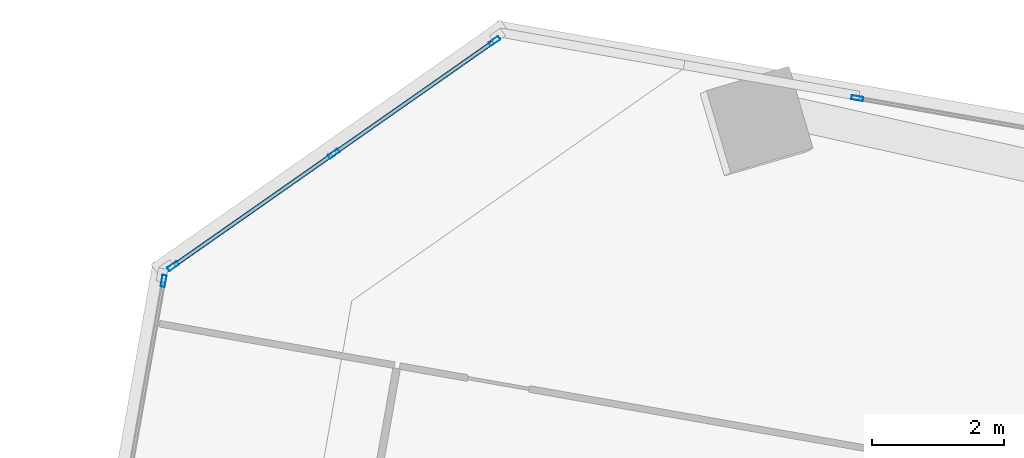
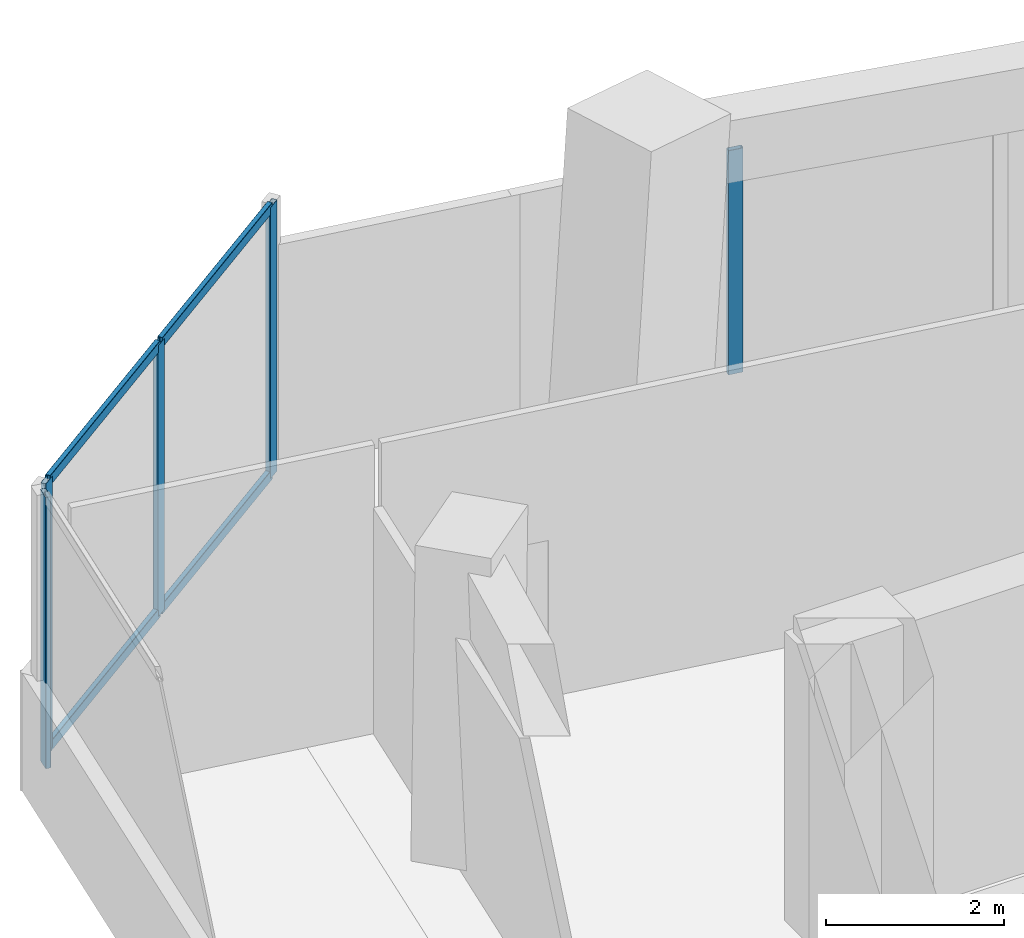
# One storey, part 15 of 24: 9 members, 3 elements without a shape of their own.
"""IFC4 building model written with IfcOpenShell, lengths in metres."""

from ifc_helpers import new_model, si_unit, direction, frame, origin, origin_2d, place, context, subcontext, project, spatial, hollow_rectangle, extrude, source, transform, mapped, material, material_profile, profile_set, type_object, element, aggregate, save


model = new_model("IFC4")

# Units and contexts
model_context = context("Model", 3, precision=1e-05, world=origin(), true_north=direction((0.0, 1.0)))
body_context = subcontext(model_context, "Body", "Model", "MODEL_VIEW")
ifc_project = project(units=[si_unit("LENGTHUNIT", "METRE"), si_unit("AREAUNIT", "SQUARE_METRE"), si_unit("VOLUMEUNIT", "CUBIC_METRE"), si_unit("PLANEANGLEUNIT", "RADIAN"), si_unit("MASSUNIT", "GRAM", prefix="KILO")], contexts=[model_context])

# Site, building, storey
site_placement = place(None, origin())
site = spatial("IfcSite", under=ifc_project, at=site_placement, CompositionType="ELEMENT")
building_placement = place(site_placement, origin())
building = spatial("IfcBuilding", under=site, at=building_placement, Name="Torre Montelarca", CompositionType="ELEMENT")
storey_placement = place(building_placement, frame((0.0, 0.0, 83.199951171875)))
storey = spatial("IfcBuildingStorey", under=building, at=storey_placement, Name="L18", CompositionType="ELEMENT", Elevation=83.199951171875)

# Curtain wall, members
ifc_material_1 = material(Name="Insulated low-E laminated glass", Category="glass")
curtain_wall_type = type_object("IfcCurtainWallType", Name="CW-SYS-Z1", PredefinedType="USERDEFINED", material=ifc_material_1)
curtain_wall_1_placement = place(storey_placement, origin())
curtain_wall_1 = element("IfcCurtainWall", 1, at=curtain_wall_1_placement, inside=storey, type_object=curtain_wall_type, Name="L18 Curtain Wall Run CW-T3-L18-E09-B1", ObjectType="UNITISED GLAZING", PredefinedType="USERDEFINED")
ifc_material_2 = material(Name="Anodised aluminium AA 6063-T6", Category="aluminium")
ifc_material_profile_1 = material_profile(ifc_material_2, hollow_rectangle(XDim=0.06494140625, YDim=0.139892578125, WallThickness=0.00390625, InnerFilletRadius=0.00390625, OuterFilletRadius=0.008056640625, at=origin_2d()), Name="ALU65X140X4", Category="aluminium")
ifc_profile_set_1 = profile_set([ifc_material_profile_1], Name="Anodised aluminium AA 6063-T6")
member_type_1 = type_object("IfcMemberType", Name="CWT-ALU140", PredefinedType="USERDEFINED", material=ifc_profile_set_1)
shared_shape_1 = source(origin(), body_context, "Body", "SweptSolid", [
    extrude(hollow_rectangle(XDim=0.06494140625, YDim=0.139892578125, WallThickness=0.00390625, InnerFilletRadius=0.00390625, OuterFilletRadius=0.008056640625, at=origin_2d()), origin(), (0.0, 0.0, 1.0), 2.918701171875),
])
member_1_placement = place(storey_placement, frame((8.244873046875, 50.528076171875, 0.032470703125), z_axis=(-0.819157248605, -0.573569003746, 0.0), x_axis=(0.573569003746, -0.819157248605, 0.0)))
member_1 = element("IfcMember", 2, at=member_1_placement, type_object=member_type_1, Name="CW transom 1.1", ObjectType="TRANSOM", PredefinedType="USERDEFINED", context=body_context, shape_type="MappedRepresentation", body=[
    mapped(shared_shape_1, transform((0.0, 0.0, 0.0), scale=1.0)),
])
member_2_placement = place(storey_placement, frame((8.244873046875, 50.528076171875, 3.6875), z_axis=(-0.819157248605, -0.573569003746, 0.0), x_axis=(0.573569003746, -0.819157248605, 0.0)))
member_2 = element("IfcMember", 3, at=member_2_placement, type_object=member_type_1, Name="CW transom 1.2", ObjectType="TRANSOM", PredefinedType="USERDEFINED", context=body_context, shape_type="MappedRepresentation", body=[
    mapped(shared_shape_1, transform((0.0, 0.0, 0.0), scale=1.0)),
])
shared_shape_2 = source(origin(), body_context, "Body", "SweptSolid", [
    extrude(hollow_rectangle(XDim=0.06494140625, YDim=0.139892578125, WallThickness=0.00390625, InnerFilletRadius=0.00390625, OuterFilletRadius=0.008056640625, at=origin_2d()), origin(), (0.0, 0.0, 1.0), 2.91845703125),
])
member_3_placement = place(storey_placement, frame((5.80078125, 48.816650390625, 0.032470703125), z_axis=(-0.819196549646, -0.573512870865, 0.0), x_axis=(0.573512870865, -0.819196549646, 0.0)))
member_3 = element("IfcMember", 4, at=member_3_placement, type_object=member_type_1, Name="CW transom 2.1", ObjectType="TRANSOM", PredefinedType="USERDEFINED", context=body_context, shape_type="MappedRepresentation", body=[
    mapped(shared_shape_2, transform((0.0, 0.0, 0.0), scale=1.0)),
])
member_4_placement = place(storey_placement, frame((5.80078125, 48.816650390625, 3.6875), z_axis=(-0.819196549646, -0.573512870865, 0.0), x_axis=(0.573512870865, -0.819196549646, 0.0)))
member_4 = element("IfcMember", 5, at=member_4_placement, type_object=member_type_1, Name="CW transom 2.2", ObjectType="TRANSOM", PredefinedType="USERDEFINED", context=body_context, shape_type="MappedRepresentation", body=[
    mapped(shared_shape_2, transform((0.0, 0.0, 0.0), scale=1.0)),
])
ifc_material_profile_2 = material_profile(ifc_material_2, hollow_rectangle(XDim=0.06494140625, YDim=0.179931640625, WallThickness=0.00390625, InnerFilletRadius=0.00390625, OuterFilletRadius=0.008056640625, at=origin_2d()), Name="ALU65X180X4", Category="aluminium")
ifc_profile_set_2 = profile_set([ifc_material_profile_2], Name="Anodised aluminium AA 6063-T6")
member_type_2 = type_object("IfcMemberType", Name="CWM-ALU180", PredefinedType="MULLION", material=ifc_profile_set_2)
shared_shape_3 = source(origin(), body_context, "Body", "SweptSolid", [
    extrude(hollow_rectangle(XDim=0.06494140625, YDim=0.179931640625, WallThickness=0.00390625, InnerFilletRadius=0.00390625, OuterFilletRadius=0.008056640625, at=origin_2d()), origin(), (0.0, 0.0, 1.0), 3.719970703125),
])
member_5_placement = place(storey_placement, frame((8.271484375, 50.546630859375, 0.0), z_axis=(0.0, 0.0, 1.0), x_axis=(0.573553573511, -0.819168052546, 0.0)))
member_5 = element("IfcMember", 6, at=member_5_placement, type_object=member_type_2, Name="CW mullion 1", PredefinedType="MULLION", context=body_context, shape_type="MappedRepresentation", body=[
    mapped(shared_shape_3, transform((0.0, 0.0, 0.0), scale=1.0)),
])
member_6_placement = place(storey_placement, frame((5.827392578125, 48.83544921875, 0.0), z_axis=(0.0, 0.0, 1.0), x_axis=(0.573553573511, -0.819168052546, 0.0)))
member_6 = element("IfcMember", 7, at=member_6_placement, type_object=member_type_2, Name="CW mullion 2", PredefinedType="MULLION", context=body_context, shape_type="MappedRepresentation", body=[
    mapped(shared_shape_3, transform((0.0, 0.0, 0.0), scale=1.0)),
])
member_7_placement = place(storey_placement, frame((3.38330078125, 47.1240234375, 0.0), z_axis=(0.0, 0.0, 1.0), x_axis=(0.573553573511, -0.819168052546, 0.0)))
member_7 = element("IfcMember", 8, at=member_7_placement, type_object=member_type_2, Name="CW mullion 3", PredefinedType="MULLION", context=body_context, shape_type="MappedRepresentation", body=[
    mapped(shared_shape_3, transform((0.0, 0.0, 0.0), scale=1.0)),
])
aggregate(curtain_wall_1, [member_5, member_6, member_7, member_1, member_2, member_3, member_4])

# Curtain wall, member
curtain_wall_2_placement = place(storey_placement, origin())
curtain_wall_2 = element("IfcCurtainWall", 9, at=curtain_wall_2_placement, inside=storey, type_object=curtain_wall_type, Name="L18 Curtain Wall Run CW-T3-L18-E10-B1", ObjectType="UNITISED GLAZING", PredefinedType="USERDEFINED")
member_8_placement = place(storey_placement, frame((3.23974609375, 46.89892578125, 0.0), z_axis=(0.0, 0.0, 1.0), x_axis=(0.984808126187, -0.173646061274, 0.0)))
member_8 = element("IfcMember", 10, at=member_8_placement, type_object=member_type_2, Name="CW mullion 1", PredefinedType="MULLION", context=body_context, shape_type="MappedRepresentation", body=[
    mapped(shared_shape_3, transform((0.0, 0.0, 0.0), scale=1.0)),
])
aggregate(curtain_wall_2, [member_8])

curtain_wall_3_placement = place(storey_placement, origin())
curtain_wall_3 = element("IfcCurtainWall", 11, at=curtain_wall_3_placement, inside=storey, type_object=curtain_wall_type, Name="L18 Curtain Wall Run CW-T3-L18-E08-B3", ObjectType="UNITISED GLAZING", PredefinedType="USERDEFINED")
shared_shape_4 = source(origin(), body_context, "Body", "SweptSolid", [
    extrude(hollow_rectangle(XDim=0.06494140625, YDim=0.179931640625, WallThickness=0.00390625, InnerFilletRadius=0.00390625, OuterFilletRadius=0.008056640625, at=origin_2d()), origin(), (0.0, 0.0, 1.0), 3.074951171875),
])
member_9_placement = place(storey_placement, frame((13.787841796875, 49.677734375, 0.0), z_axis=(0.0, 0.0, 1.0), x_axis=(-0.173647141497, -0.984807935716, 0.0)))
member_9 = element("IfcMember", 12, at=member_9_placement, type_object=member_type_2, Name="CW mullion 3", PredefinedType="MULLION", context=body_context, shape_type="MappedRepresentation", body=[
    mapped(shared_shape_4, transform((0.0, 0.0, 0.0), scale=1.0)),
])
aggregate(curtain_wall_3, [member_9])

save(model, "model.ifc")
